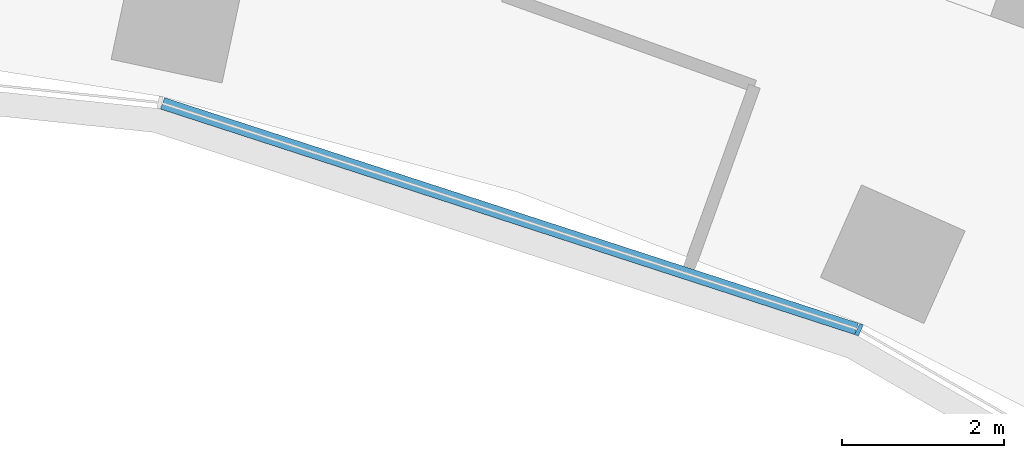
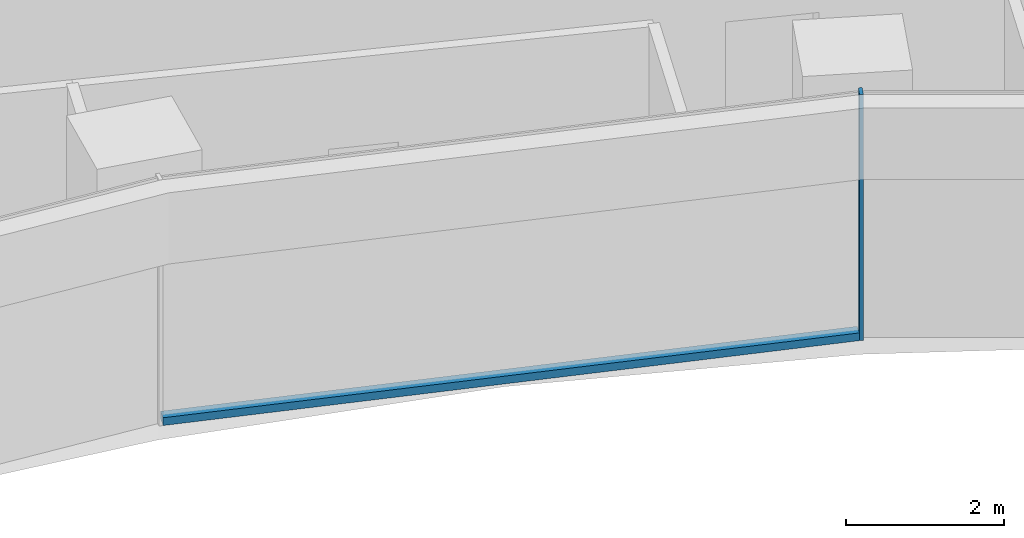
# One storey, part 9 of 21: 2 members, 1 element without a shape of its own.
"""IFC4 building model written with IfcOpenShell, lengths in metres."""

from ifc_helpers import new_model, si_unit, direction, frame, origin, origin_2d, place, context, subcontext, project, spatial, rectangle, extrude, material, layer, layer_set, material_profile, profile_set, type_object, element, aggregate, save


model = new_model("IFC4")

# Units and contexts
model_context = context("Model", 3, precision=1e-05, world=origin(), true_north=direction((0.0, 1.0)))
body_context = subcontext(model_context, "Body", "Model", "MODEL_VIEW")
ifc_project = project(units=[si_unit("LENGTHUNIT", "METRE"), si_unit("AREAUNIT", "SQUARE_METRE"), si_unit("VOLUMEUNIT", "CUBIC_METRE"), si_unit("PLANEANGLEUNIT", "RADIAN"), si_unit("MASSUNIT", "GRAM", prefix="KILO")], contexts=[model_context])

# Site, building, storey
site_placement = place(None, origin())
site = spatial("IfcSite", under=ifc_project, at=site_placement, CompositionType="ELEMENT")
building_placement = place(site_placement, origin())
building = spatial("IfcBuilding", under=site, at=building_placement, Name="Stone Belt Terrace Tower", CompositionType="ELEMENT")
storey_placement = place(building_placement, frame((0.0, 0.0, 56.60009765625)))
storey = spatial("IfcBuildingStorey", under=building, at=storey_placement, Name="L13", CompositionType="ELEMENT", Elevation=56.60009765625)

# Curtain wall, members
ifc_material = material(Name="Aluminium 6063-T6 anodised frame", Category="aluminium")
ifc_layer = layer(ifc_material, 0.14990234375)
ifc_layer_set = layer_set([ifc_layer], Name="CW-B unitised concave-face curtain wall")
curtain_wall_type = type_object("IfcCurtainWallType", Name="CW-B unitised concave-face curtain wall", PredefinedType="NOTDEFINED", material=ifc_layer_set)
curtain_wall_placement = place(storey_placement, origin())
curtain_wall = element("IfcCurtainWall", 1, at=curtain_wall_placement, inside=storey, type_object=curtain_wall_type, Name="CW-B concave face L13", PredefinedType="NOTDEFINED")
ifc_material_profile_1 = material_profile(ifc_material, rectangle(XDim=0.14990234375, YDim=0.050048828125, at=origin_2d()), Name="Aluminium 6063-T6 50x150")
ifc_profile_set_1 = profile_set([ifc_material_profile_1], Name="Aluminium 6063-T6 anodised frame")
member_type_1 = type_object("IfcMemberType", Name="CW-B mullion 50 x 150", PredefinedType="MULLION", material=ifc_profile_set_1)
member_1_placement = place(storey_placement, frame((17.662353515625, 39.67041015625, 0.0), z_axis=(0.0, 0.0, 1.0), x_axis=(0.406736643076, 0.913545457643, 0.0)))
member_1 = element("IfcMember", 2, at=member_1_placement, type_object=member_type_1, Name="CW-B mullion 8", PredefinedType="MULLION", context=body_context, shape_type="SweptSolid", body=[
    extrude(rectangle(XDim=0.14990234375, YDim=0.050048828125, at=origin_2d()), origin(), (0.0, 0.0, 1.0), 3.7998046875),
])
ifc_material_profile_2 = material_profile(ifc_material, rectangle(XDim=0.14990234375, YDim=0.1201171875, at=origin_2d()), Name="Aluminium 6063-T6 150x120")
ifc_profile_set_2 = profile_set([ifc_material_profile_2], Name="Aluminium 6063-T6 anodised frame")
member_type_2 = type_object("IfcMemberType", Name="CW-B transom 120 x 150", PredefinedType="USERDEFINED", material=ifc_profile_set_2)
member_2_placement = place(storey_placement, frame((9.0595703125, 42.465576171875, 0.059814453125), z_axis=(0.951055963285, -0.309018696359, 0.0), x_axis=(0.309018696359, 0.951055963285, 0.0)))
member_2 = element("IfcMember", 3, at=member_2_placement, type_object=member_type_2, Name="CW-B transom 7.1", ObjectType="TRANSOM", PredefinedType="USERDEFINED", context=body_context, shape_type="SweptSolid", body=[
    extrude(rectangle(XDim=0.14990234375, YDim=0.1201171875, at=origin_2d()), origin(), (0.0, 0.0, 1.0), 9.012939453125),
])
aggregate(curtain_wall, [member_1, member_2])

save(model, "model.ifc")
